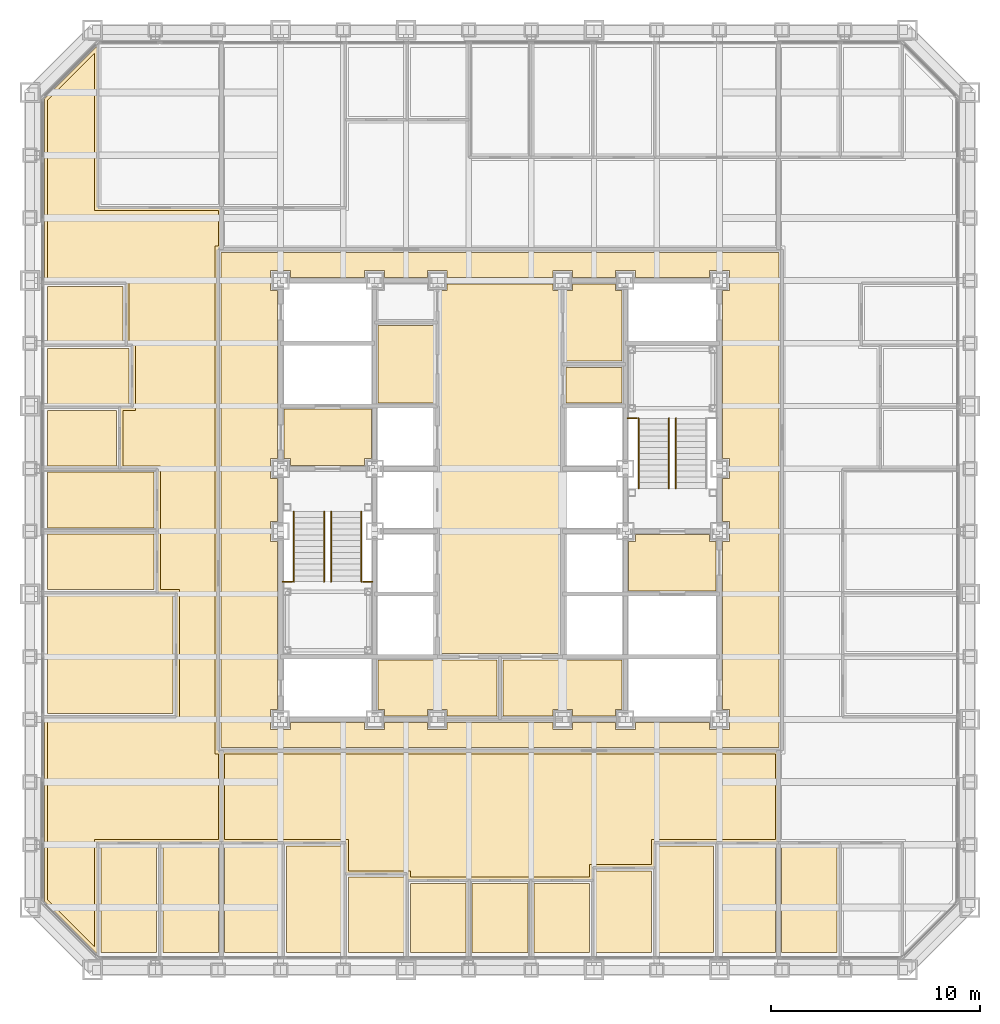
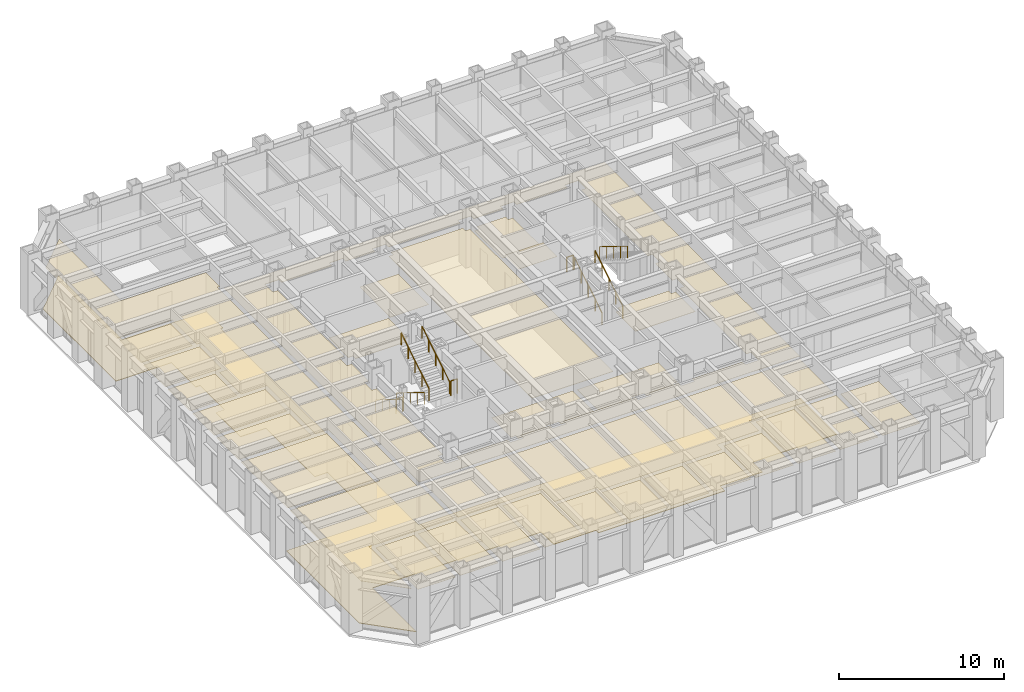
# One storey, part 14 of 16: 31 coverings, 10 railings.
"""IFC4 building model written with IfcOpenShell, lengths in metres."""

from ifc_helpers import new_model, si_unit, direction, frame, origin, origin_2d, place, context, subcontext, project, spatial, polyline, circle, outline, extrude, material, layer, layer_set, type_object, element, save


model = new_model("IFC4")

# Units and contexts
model_context = context("Model", 3, precision=1e-05, world=origin(), true_north=direction((0.0, 1.0)))
body_context = subcontext(model_context, "Body", "Model", "MODEL_VIEW")
ifc_project = project(units=[si_unit("LENGTHUNIT", "METRE"), si_unit("AREAUNIT", "SQUARE_METRE"), si_unit("VOLUMEUNIT", "CUBIC_METRE"), si_unit("PLANEANGLEUNIT", "RADIAN"), si_unit("MASSUNIT", "GRAM", prefix="KILO")], contexts=[model_context])

# Site, building, storey
site_placement = place(None, origin())
site = spatial("IfcSite", under=ifc_project, at=site_placement, CompositionType="ELEMENT")
building_placement = place(site_placement, origin())
building = spatial("IfcBuilding", under=site, at=building_placement, Name="Chuquiago Exchange Tower", CompositionType="ELEMENT")
storey_placement = place(building_placement, frame((0.0, 0.0, 78.300048828125)))
storey = spatial("IfcBuildingStorey", under=building, at=storey_placement, Name="L16", CompositionType="ELEMENT", Elevation=78.300048828125)

# Coverings
ifc_material_1 = material(Name="Mineral fibre tile, 600 x 600, on pale metal grid", Category="mineral fibre")
ifc_layer_1 = layer(ifc_material_1, 0.02001953125)
ifc_layer_set_1 = layer_set([ifc_layer_1], Name="CL1 suspended tile ceiling 20")
covering_type_1 = type_object("IfcCoveringType", Name="CL1 suspended tile ceiling 20", PredefinedType="CEILING", material=ifc_layer_set_1)
covering_1_placement = place(storey_placement, frame((0.0, 0.0, 3.0)))
element("IfcCovering", 1, at=covering_1_placement, inside=storey, type_object=covering_type_1, Name="Ceiling Office", PredefinedType="CEILING", context=body_context, shape_type="SweptSolid", body=[
    extrude(outline(polyline([(3.3984375, 5.949951171875), (6.060302734375, 5.949951171875), (6.060302734375, 0.85009765625), (3.3984375, 0.85009765625), (3.3984375, 5.949951171875)])), origin(), (0.0, 0.0, 1.0), 0.02001953125),
])
covering_2_placement = place(storey_placement, frame((0.0, 0.0, 3.0)))
element("IfcCovering", 2, at=covering_2_placement, inside=storey, type_object=covering_type_1, Name="Ceiling Office", PredefinedType="CEILING", context=body_context, shape_type="SweptSolid", body=[
    extrude(outline(polyline([(6.3603515625, 5.949951171875), (9.022216796875, 5.949951171875), (9.022216796875, 0.85009765625), (6.3603515625, 0.85009765625), (6.3603515625, 5.949951171875)])), origin(), (0.0, 0.0, 1.0), 0.02001953125),
])
covering_3_placement = place(storey_placement, frame((0.0, 0.0, 3.0)))
element("IfcCovering", 3, at=covering_3_placement, inside=storey, type_object=covering_type_1, Name="Ceiling Office", PredefinedType="CEILING", context=body_context, shape_type="SweptSolid", body=[
    extrude(outline(polyline([(9.322021484375, 5.949951171875), (11.98388671875, 5.949951171875), (11.98388671875, 0.85009765625), (9.322021484375, 0.85009765625), (9.322021484375, 5.949951171875)])), origin(), (0.0, 0.0, 1.0), 0.02001953125),
])
covering_4_placement = place(storey_placement, frame((0.0, 0.0, 3.0)))
element("IfcCovering", 4, at=covering_4_placement, inside=storey, type_object=covering_type_1, Name="Ceiling Office", PredefinedType="CEILING", context=body_context, shape_type="SweptSolid", body=[
    extrude(outline(polyline([(12.28369140625, 5.949951171875), (14.945556640625, 5.949951171875), (14.945556640625, 0.85009765625), (12.28369140625, 0.85009765625), (12.28369140625, 5.949951171875)])), origin(), (0.0, 0.0, 1.0), 0.02001953125),
])
covering_5_placement = place(storey_placement, frame((0.0, 0.0, 3.0)))
element("IfcCovering", 5, at=covering_5_placement, inside=storey, type_object=covering_type_1, Name="Ceiling Store", PredefinedType="CEILING", context=body_context, shape_type="SweptSolid", body=[
    extrude(outline(polyline([(15.24560546875, 4.449951171875), (17.907470703125, 4.449951171875), (17.907470703125, 0.85009765625), (15.24560546875, 0.85009765625), (15.24560546875, 4.449951171875)])), origin(), (0.0, 0.0, 1.0), 0.02001953125),
])
covering_6_placement = place(storey_placement, frame((0.0, 0.0, 3.0)))
element("IfcCovering", 6, at=covering_6_placement, inside=storey, type_object=covering_type_1, Name="Ceiling Focus room", PredefinedType="CEILING", context=body_context, shape_type="SweptSolid", body=[
    extrude(outline(polyline([(18.20751953125, 4.14990234375), (20.869140625, 4.14990234375), (20.869140625, 0.85009765625), (18.20751953125, 0.85009765625), (18.20751953125, 4.14990234375)])), origin(), (0.0, 0.0, 1.0), 0.02001953125),
])
covering_7_placement = place(storey_placement, frame((0.0, 0.0, 3.0)))
element("IfcCovering", 7, at=covering_7_placement, inside=storey, type_object=covering_type_1, Name="Ceiling Focus room", PredefinedType="CEILING", context=body_context, shape_type="SweptSolid", body=[
    extrude(outline(polyline([(21.169189453125, 4.14990234375), (23.830810546875, 4.14990234375), (23.830810546875, 0.85009765625), (21.169189453125, 0.85009765625), (21.169189453125, 4.14990234375)])), origin(), (0.0, 0.0, 1.0), 0.02001953125),
])
covering_8_placement = place(storey_placement, frame((0.0, 0.0, 3.0)))
element("IfcCovering", 8, at=covering_8_placement, inside=storey, type_object=covering_type_1, Name="Ceiling Focus room", PredefinedType="CEILING", context=body_context, shape_type="SweptSolid", body=[
    extrude(outline(polyline([(24.130859375, 4.14990234375), (26.79248046875, 4.14990234375), (26.79248046875, 0.85009765625), (24.130859375, 0.85009765625), (24.130859375, 4.14990234375)])), origin(), (0.0, 0.0, 1.0), 0.02001953125),
])
covering_9_placement = place(storey_placement, frame((0.0, 0.0, 3.0)))
element("IfcCovering", 9, at=covering_9_placement, inside=storey, type_object=covering_type_1, Name="Ceiling Pantry", PredefinedType="CEILING", context=body_context, shape_type="SweptSolid", body=[
    extrude(outline(polyline([(27.092529296875, 4.75), (29.75439453125, 4.75), (29.75439453125, 0.85009765625), (27.092529296875, 0.85009765625), (27.092529296875, 4.75)])), origin(), (0.0, 0.0, 1.0), 0.02001953125),
])
covering_10_placement = place(storey_placement, frame((0.0, 0.0, 3.0)))
element("IfcCovering", 10, at=covering_10_placement, inside=storey, type_object=covering_type_1, Name="Ceiling Meeting room", PredefinedType="CEILING", context=body_context, shape_type="SweptSolid", body=[
    extrude(outline(polyline([(30.054443359375, 5.949951171875), (32.71630859375, 5.949951171875), (32.71630859375, 0.85009765625), (30.054443359375, 0.85009765625), (30.054443359375, 5.949951171875)])), origin(), (0.0, 0.0, 1.0), 0.02001953125),
])
covering_11_placement = place(storey_placement, frame((0.0, 0.0, 3.0)))
element("IfcCovering", 11, at=covering_11_placement, inside=storey, type_object=covering_type_1, Name="Ceiling Meeting room", PredefinedType="CEILING", context=body_context, shape_type="SweptSolid", body=[
    extrude(outline(polyline([(33.01611328125, 5.949951171875), (35.677978515625, 5.949951171875), (35.677978515625, 0.85009765625), (33.01611328125, 0.85009765625), (33.01611328125, 5.949951171875)])), origin(), (0.0, 0.0, 1.0), 0.02001953125),
])
covering_12_placement = place(storey_placement, frame((0.0, 0.0, 3.0)))
element("IfcCovering", 12, at=covering_12_placement, inside=storey, type_object=covering_type_1, Name="Ceiling Office", PredefinedType="CEILING", context=body_context, shape_type="SweptSolid", body=[
    extrude(outline(polyline([(35.977783203125, 5.949951171875), (38.6396484375, 5.949951171875), (38.6396484375, 0.85009765625), (35.977783203125, 0.85009765625), (35.977783203125, 5.949951171875)])), origin(), (0.0, 0.0, 1.0), 0.02001953125),
])
covering_13_placement = place(storey_placement, frame((0.0, 0.0, 3.0)))
element("IfcCovering", 13, at=covering_13_placement, inside=storey, type_object=covering_type_1, Name="Ceiling Conference room", PredefinedType="CEILING", context=body_context, shape_type="SweptSolid", body=[
    extrude(outline(polyline([(6.85009765625, 17.907470703125), (6.85009765625, 12.28369140625), (0.85009765625, 12.28369140625), (0.85009765625, 17.907470703125), (6.85009765625, 17.907470703125)])), origin(), (0.0, 0.0, 1.0), 0.02001953125),
])
covering_14_placement = place(storey_placement, frame((0.0, 0.0, 3.0)))
element("IfcCovering", 14, at=covering_14_placement, inside=storey, type_object=covering_type_1, Name="Ceiling Office", PredefinedType="CEILING", context=body_context, shape_type="SweptSolid", body=[
    extrude(outline(polyline([(5.949951171875, 20.869140625), (5.949951171875, 18.20751953125), (0.85009765625, 18.20751953125), (0.85009765625, 20.869140625), (5.949951171875, 20.869140625)])), origin(), (0.0, 0.0, 1.0), 0.02001953125),
])
covering_15_placement = place(storey_placement, frame((0.0, 0.0, 3.0)))
element("IfcCovering", 15, at=covering_15_placement, inside=storey, type_object=covering_type_1, Name="Ceiling Office", PredefinedType="CEILING", context=body_context, shape_type="SweptSolid", body=[
    extrude(outline(polyline([(5.949951171875, 23.830810546875), (5.949951171875, 21.169189453125), (0.85009765625, 21.169189453125), (0.85009765625, 23.830810546875), (5.949951171875, 23.830810546875)])), origin(), (0.0, 0.0, 1.0), 0.02001953125),
])
covering_16_placement = place(storey_placement, frame((0.0, 0.0, 3.0)))
element("IfcCovering", 16, at=covering_16_placement, inside=storey, type_object=covering_type_1, Name="Ceiling Focus room", PredefinedType="CEILING", context=body_context, shape_type="SweptSolid", body=[
    extrude(outline(polyline([(4.14990234375, 26.79248046875), (4.14990234375, 24.130859375), (0.85009765625, 24.130859375), (0.85009765625, 26.79248046875), (4.14990234375, 26.79248046875)])), origin(), (0.0, 0.0, 1.0), 0.02001953125),
])
covering_17_placement = place(storey_placement, frame((0.0, 0.0, 3.0)))
element("IfcCovering", 17, at=covering_17_placement, inside=storey, type_object=covering_type_1, Name="Ceiling Pantry", PredefinedType="CEILING", context=body_context, shape_type="SweptSolid", body=[
    extrude(outline(polyline([(4.75, 29.75439453125), (4.75, 27.092529296875), (0.85009765625, 27.092529296875), (0.85009765625, 29.75439453125), (4.75, 29.75439453125)])), origin(), (0.0, 0.0, 1.0), 0.02001953125),
])
covering_18_placement = place(storey_placement, frame((0.0, 0.0, 3.0)))
element("IfcCovering", 18, at=covering_18_placement, inside=storey, type_object=covering_type_1, Name="Ceiling Store", PredefinedType="CEILING", context=body_context, shape_type="SweptSolid", body=[
    extrude(outline(polyline([(4.449951171875, 32.71630859375), (4.449951171875, 30.054443359375), (0.85009765625, 30.054443359375), (0.85009765625, 32.71630859375), (4.449951171875, 32.71630859375)])), origin(), (0.0, 0.0, 1.0), 0.02001953125),
])
covering_19_placement = place(storey_placement, frame((0.0, 0.0, 3.0)))
element("IfcCovering", 19, at=covering_19_placement, inside=storey, type_object=covering_type_1, Name="Ceiling Trading floor south suite", PredefinedType="CEILING", context=body_context, shape_type="SweptSolid", body=[
    extrude(outline(polyline([(29.75439453125, 6.25), (29.75439453125, 5.050048828125), (26.79248046875, 5.050048828125), (26.79248046875, 4.449951171875), (18.20751953125, 4.449951171875), (18.20751953125, 4.75), (15.24560546875, 4.75), (15.24560546875, 6.25), (9.322509765625, 6.25), (9.322509765625, 10.349609375), (35.677490234375, 10.349609375), (35.677490234375, 6.25), (29.75439453125, 6.25)])), origin(), (0.0, 0.0, 1.0), 0.02001953125),
])
covering_20_placement = place(storey_placement, frame((0.0, 0.0, 3.0)))
element("IfcCovering", 20, at=covering_20_placement, inside=storey, type_object=covering_type_1, Name="Ceiling Trading floor west suite", PredefinedType="CEILING", context=body_context, shape_type="SweptSolid", body=[
    extrude(outline(polyline([(3.098388671875, 36.35009765625), (9.021484375, 36.35009765625), (9.021484375, 34.650146484375), (8.849609375, 34.649658203125), (8.849609375, 10.350341796875), (9.021484375, 10.349853515625), (9.021484375, 6.25), (3.098388671875, 6.25), (3.098388671875, 1.103515625), (0.85009765625, 3.35205078125), (0.85009765625, 11.98388671875), (7.14990234375, 11.98388671875), (7.14990234375, 18.20751953125), (6.25, 18.20751953125), (6.25, 24.130859375), (4.449951171875, 24.130859375), (4.449951171875, 26.79248046875), (5.050048828125, 26.79248046875), (5.050048828125, 30.054443359375), (4.75, 30.054443359375), (4.75, 33.01611328125), (0.85009765625, 33.01611328125), (0.85009765625, 41.64794921875), (3.098388671875, 43.896484375), (3.098388671875, 36.35009765625)])), origin(), (0.0, 0.0, 1.0), 0.02001953125),
])
covering_21_placement = place(storey_placement, frame((0.0, 0.0, 3.0)))
element("IfcCovering", 21, at=covering_21_placement, inside=storey, type_object=covering_type_1, Name="Ceiling Tenant corridor", PredefinedType="CEILING", context=body_context, shape_type="SweptSolid", body=[
    extrude(outline(polyline([(9.14990234375, 34.35009765625), (35.85009765625, 34.35009765625), (35.85009765625, 10.64990234375), (9.14990234375, 10.64990234375), (9.14990234375, 34.35009765625)]), holes=[polyline([(11.85009765625, 24.47509765625), (11.52490234375, 24.47509765625), (11.52490234375, 23.52490234375), (11.85009765625, 23.52490234375), (11.85009765625, 21.47509765625), (11.52490234375, 21.47509765625), (11.52490234375, 20.52490234375), (11.85009765625, 20.52490234375), (11.85009765625, 12.47509765625), (11.52490234375, 12.47509765625), (11.52490234375, 11.52490234375), (12.47509765625, 11.52490234375), (12.47509765625, 11.85009765625), (16.02490234375, 11.85009765625), (16.02490234375, 11.52490234375), (16.97509765625, 11.52490234375), (16.97509765625, 11.85009765625), (19.02490234375, 11.85009765625), (19.02490234375, 11.52490234375), (19.97509765625, 11.52490234375), (19.97509765625, 11.85009765625), (25.02490234375, 11.85009765625), (25.02490234375, 11.52490234375), (25.97509765625, 11.52490234375), (25.97509765625, 11.85009765625), (28.02490234375, 11.85009765625), (28.02490234375, 11.52490234375), (28.97509765625, 11.52490234375), (28.97509765625, 11.85009765625), (32.52490234375, 11.85009765625), (32.52490234375, 11.52490234375), (33.47509765625, 11.52490234375), (33.47509765625, 12.47509765625), (33.14990234375, 12.47509765625), (33.14990234375, 20.52490234375), (33.47509765625, 20.52490234375), (33.47509765625, 21.47509765625), (33.14990234375, 21.47509765625), (33.14990234375, 23.52490234375), (33.47509765625, 23.52490234375), (33.47509765625, 24.47509765625), (33.14990234375, 24.47509765625), (33.14990234375, 32.52490234375), (33.47509765625, 32.52490234375), (33.47509765625, 33.47509765625), (32.52490234375, 33.47509765625), (32.52490234375, 33.14990234375), (28.97509765625, 33.14990234375), (28.97509765625, 33.47509765625), (28.02490234375, 33.47509765625), (28.02490234375, 33.14990234375), (25.97509765625, 33.14990234375), (25.97509765625, 33.47509765625), (25.02490234375, 33.47509765625), (25.02490234375, 33.14990234375), (19.97509765625, 33.14990234375), (19.97509765625, 33.47509765625), (19.02490234375, 33.47509765625), (19.02490234375, 33.14990234375), (16.97509765625, 33.14990234375), (16.97509765625, 33.47509765625), (16.02490234375, 33.47509765625), (16.02490234375, 33.14990234375), (12.47509765625, 33.14990234375), (12.47509765625, 33.47509765625), (11.52490234375, 33.47509765625), (11.52490234375, 32.52490234375), (11.85009765625, 32.52490234375), (11.85009765625, 24.47509765625)])]), origin(), (0.0, 0.0, 1.0), 0.02001953125),
])
covering_22_placement = place(storey_placement, frame((0.0, 0.0, 3.0)))
element("IfcCovering", 22, at=covering_22_placement, inside=storey, type_object=covering_type_1, Name="Ceiling First aid room", PredefinedType="CEILING", context=body_context, shape_type="SweptSolid", body=[
    extrude(outline(polyline([(25.64990234375, 27.14990234375), (25.64990234375, 28.85009765625), (28.35009765625, 28.85009765625), (28.35009765625, 27.14990234375), (25.64990234375, 27.14990234375)])), origin(), (0.0, 0.0, 1.0), 0.02001953125),
])
ifc_material_2 = material(Name="Moisture resistant plasterboard on metal frame", Category="gypsum")
ifc_layer_2 = layer(ifc_material_2, 0.014892578125)
ifc_layer_set_2 = layer_set([ifc_layer_2], Name="CL2 moisture resistant ceiling 15")
covering_type_2 = type_object("IfcCoveringType", Name="CL2 moisture resistant ceiling 15", PredefinedType="CEILING", material=ifc_layer_set_2)
covering_23_placement = place(storey_placement, frame((0.0, 0.0, 2.599853515625)))
element("IfcCovering", 23, at=covering_23_placement, inside=storey, type_object=covering_type_2, Name="Ceiling Male WC", PredefinedType="CEILING", context=body_context, shape_type="SweptSolid", body=[
    extrude(outline(polyline([(16.64990234375, 27.14990234375), (16.64990234375, 30.85009765625), (19.35009765625, 30.85009765625), (19.35009765625, 27.14990234375), (16.64990234375, 27.14990234375)])), origin(), (0.0, 0.0, 1.0), 0.01513671875),
])
covering_24_placement = place(storey_placement, frame((0.0, 0.0, 2.599853515625)))
element("IfcCovering", 24, at=covering_24_placement, inside=storey, type_object=covering_type_2, Name="Ceiling Female WC", PredefinedType="CEILING", context=body_context, shape_type="SweptSolid", body=[
    extrude(outline(polyline([(25.64990234375, 29.14990234375), (25.64990234375, 32.52490234375), (25.97509765625, 32.52490234375), (25.97509765625, 32.85009765625), (28.02490234375, 32.85009765625), (28.02490234375, 32.52490234375), (28.35009765625, 32.52490234375), (28.35009765625, 29.14990234375), (25.64990234375, 29.14990234375)])), origin(), (0.0, 0.0, 1.0), 0.01513671875),
])
covering_25_placement = place(storey_placement, frame((0.0, 0.0, 2.599853515625)))
element("IfcCovering", 25, at=covering_25_placement, inside=storey, type_object=covering_type_2, Name="Ceiling Accessible WC", PredefinedType="CEILING", context=body_context, shape_type="SweptSolid", body=[
    extrude(outline(polyline([(25.97509765625, 12.14990234375), (25.97509765625, 12.47509765625), (25.02490234375, 12.47509765625), (25.02490234375, 12.14990234375), (22.64990234375, 12.14990234375), (22.64990234375, 14.85009765625), (28.35009765625, 14.85009765625), (28.35009765625, 12.47509765625), (28.02490234375, 12.47509765625), (28.02490234375, 12.14990234375), (25.97509765625, 12.14990234375)])), origin(), (0.0, 0.0, 1.0), 0.01513671875),
])
covering_26_placement = place(storey_placement, frame((0.0, 0.0, 2.599853515625)))
element("IfcCovering", 26, at=covering_26_placement, inside=storey, type_object=covering_type_2, Name="Ceiling Cleaner", PredefinedType="CEILING", context=body_context, shape_type="SweptSolid", body=[
    extrude(outline(polyline([(19.97509765625, 12.14990234375), (19.97509765625, 12.47509765625), (19.02490234375, 12.47509765625), (19.02490234375, 12.14990234375), (16.97509765625, 12.14990234375), (16.97509765625, 12.47509765625), (16.64990234375, 12.47509765625), (16.64990234375, 14.85009765625), (22.35009765625, 14.85009765625), (22.35009765625, 12.14990234375), (19.97509765625, 12.14990234375)])), origin(), (0.0, 0.0, 1.0), 0.01513671875),
])
ifc_material_3 = material(Name="Pale metal plank ceiling, perforated", Category="aluminium")
ifc_layer_3 = layer(ifc_material_3, 0.030029296875)
ifc_layer_set_3 = layer_set([ifc_layer_3], Name="CL3 metal plank ceiling 30")
covering_type_3 = type_object("IfcCoveringType", Name="CL3 metal plank ceiling 30", PredefinedType="CEILING", material=ifc_layer_set_3)
covering_27_placement = place(storey_placement, frame((0.0, 0.0, 2.800048828125)))
element("IfcCovering", 27, at=covering_27_placement, inside=storey, type_object=covering_type_3, Name="Ceiling Lift lobby", PredefinedType="CEILING", context=body_context, shape_type="SweptSolid", body=[
    extrude(outline(polyline([(19.64990234375, 15.14990234375), (19.64990234375, 32.52490234375), (19.97509765625, 32.52490234375), (19.97509765625, 32.85009765625), (25.02490234375, 32.85009765625), (25.02490234375, 32.52490234375), (25.35009765625, 32.52490234375), (25.35009765625, 15.14990234375), (19.64990234375, 15.14990234375)])), origin(), (0.0, 0.0, 1.0), 0.02978515625),
])
covering_28_placement = place(storey_placement, frame((0.0, 0.0, 2.800048828125)))
element("IfcCovering", 28, at=covering_28_placement, inside=storey, type_object=covering_type_3, Name="Ceiling Firefighting lobby", PredefinedType="CEILING", context=body_context, shape_type="SweptSolid", body=[
    extrude(outline(polyline([(12.47509765625, 24.14990234375), (12.47509765625, 24.47509765625), (12.14990234375, 24.47509765625), (12.14990234375, 26.85009765625), (16.35009765625, 26.85009765625), (16.35009765625, 24.47509765625), (16.02490234375, 24.47509765625), (16.02490234375, 24.14990234375), (12.47509765625, 24.14990234375)])), origin(), (0.0, 0.0, 1.0), 0.02978515625),
])
covering_29_placement = place(storey_placement, frame((0.0, 0.0, 2.800048828125)))
element("IfcCovering", 29, at=covering_29_placement, inside=storey, type_object=covering_type_3, Name="Ceiling Firefighting lobby", PredefinedType="CEILING", context=body_context, shape_type="SweptSolid", body=[
    extrude(outline(polyline([(28.64990234375, 18.14990234375), (28.64990234375, 20.52490234375), (28.97509765625, 20.52490234375), (28.97509765625, 20.85009765625), (32.52490234375, 20.85009765625), (32.52490234375, 20.52490234375), (32.85009765625, 20.52490234375), (32.85009765625, 18.14990234375), (28.64990234375, 18.14990234375)])), origin(), (0.0, 0.0, 1.0), 0.02978515625),
])

# Railings
ifc_material_4 = material(Name="Pale metal guard with safety glass infill", Category="glass")
railing_type_1 = type_object("IfcRailingType", Name="GR1 guard 1100", PredefinedType="GUARDRAIL", material=ifc_material_4)
for number, where, name in (
    (30, (12.10009765625, 18.590087890625, 2.25), "Guard ST1 L16 landing 2"),
    (31, (15.945068359375, 18.590087890625, 2.25), "Guard ST1 L16 landing 2"),
    (32, (28.60009765625, 26.409912109375, 2.25), "Guard ST2 L16 landing 2"),
):
    element("IfcRailing", number, at=place(storey_placement, frame(where)), inside=storey, type_object=railing_type_1, Name=name, PredefinedType="GUARDRAIL", context=body_context, shape_type="SweptSolid", body=[
        extrude(circle(Radius=0.02392578125, at=origin_2d()), frame((0.0, 0.0, 1.076171875), z_axis=(1.0, 0.0, 0.0), x_axis=(0.0, 1.0, 0.0)), (0.0, 0.0, 1.0), 0.454833984375),
        extrude(circle(Radius=0.02099609375, at=origin_2d()), origin(), (0.0, 0.0, 1.0), 1.052001953125),
        extrude(circle(Radius=0.02099609375, at=origin_2d()), frame((0.454833984375, 0.0, 0.0)), (0.0, 0.0, 1.0), 1.052001953125),
    ])
ifc_material_5 = material(Name="Pale metal handrail", Category="steel")
railing_type_2 = type_object("IfcRailingType", Name="HR1 handrail 900", PredefinedType="HANDRAIL", material=ifc_material_5)
for number, where, name in (
    (33, (12.635009765625, 21.949951171875, 0.173095703125), "Handrail ST1 L16 flight 1"),
    (34, (14.0849609375, 21.949951171875, 0.173095703125), "Handrail ST1 L16 flight 1"),
):
    element("IfcRailing", number, at=place(storey_placement, frame(where)), inside=storey, type_object=railing_type_2, Name=name, PredefinedType="HANDRAIL", context=body_context, shape_type="SweptSolid", body=[
        extrude(circle(Radius=0.02392578125, at=origin_2d()), frame((0.0, 0.0, 0.8759765625), z_axis=(0.0, -0.850606129759, 0.525803396734), x_axis=(1.0, 0.0, 0.0)), (0.0, 0.0, 1.0), 3.949951171875),
        extrude(circle(Radius=0.02099609375, at=origin_2d()), origin(), (0.0, 0.0, 1.0), 0.851806640625),
        extrude(circle(Radius=0.02099609375, at=origin_2d()), frame((0.0, -0.83984375, 0.519287109375)), (0.0, 0.0, 1.0), 0.851806640625),
        extrude(circle(Radius=0.02099609375, at=origin_2d()), frame((0.0, -1.679931640625, 1.03857421875)), (0.0, 0.0, 1.0), 0.851806640625),
        extrude(circle(Radius=0.02099609375, at=origin_2d()), frame((0.0, -2.52001953125, 1.5576171875)), (0.0, 0.0, 1.0), 0.851806640625),
        extrude(circle(Radius=0.02099609375, at=origin_2d()), frame((0.0, -3.35986328125, 2.076904296875)), (0.0, 0.0, 1.0), 0.851806640625),
    ])
for number, where, name in (
    (35, (15.864990234375, 18.590087890625, 2.423095703125), "Handrail ST1 L16 flight 2"),
    (36, (14.4150390625, 18.590087890625, 2.423095703125), "Handrail ST1 L16 flight 2"),
    (37, (30.5849609375, 23.050048828125, 0.173095703125), "Handrail ST2 L16 flight 1"),
    (38, (29.135009765625, 23.050048828125, 0.173095703125), "Handrail ST2 L16 flight 1"),
):
    element("IfcRailing", number, at=place(storey_placement, frame(where)), inside=storey, type_object=railing_type_2, Name=name, PredefinedType="HANDRAIL", context=body_context, shape_type="SweptSolid", body=[
        extrude(circle(Radius=0.02392578125, at=origin_2d()), frame((0.0, 0.0, 0.8759765625), z_axis=(0.0, 0.850606129759, 0.525803396734), x_axis=(-1.0, 0.0, 0.0)), (0.0, 0.0, 1.0), 3.949951171875),
        extrude(circle(Radius=0.02099609375, at=origin_2d()), origin(), (0.0, 0.0, 1.0), 0.851806640625),
        extrude(circle(Radius=0.02099609375, at=origin_2d()), frame((0.0, 0.83984375, 0.519287109375)), (0.0, 0.0, 1.0), 0.851806640625),
        extrude(circle(Radius=0.02099609375, at=origin_2d()), frame((0.0, 1.679931640625, 1.03857421875)), (0.0, 0.0, 1.0), 0.851806640625),
        extrude(circle(Radius=0.02099609375, at=origin_2d()), frame((0.0, 2.52001953125, 1.5576171875)), (0.0, 0.0, 1.0), 0.851806640625),
        extrude(circle(Radius=0.02099609375, at=origin_2d()), frame((0.0, 3.35986328125, 2.076904296875)), (0.0, 0.0, 1.0), 0.851806640625),
    ])
railing_placement = place(storey_placement, frame((30.9150390625, 26.409912109375, 2.423095703125)))
element("IfcRailing", 39, at=railing_placement, inside=storey, type_object=railing_type_2, Name="Handrail ST2 L16 flight 2", PredefinedType="HANDRAIL", context=body_context, shape_type="SweptSolid", body=[
    extrude(circle(Radius=0.02392578125, at=origin_2d()), frame((0.0, 0.0, 0.8759765625), z_axis=(0.0, -0.850606129759, 0.525803396734), x_axis=(1.0, 0.0, 0.0)), (0.0, 0.0, 1.0), 3.949951171875),
    extrude(circle(Radius=0.02099609375, at=origin_2d()), origin(), (0.0, 0.0, 1.0), 0.851806640625),
    extrude(circle(Radius=0.02099609375, at=origin_2d()), frame((0.0, -0.83984375, 0.519287109375)), (0.0, 0.0, 1.0), 0.851806640625),
    extrude(circle(Radius=0.02099609375, at=origin_2d()), frame((0.0, -1.679931640625, 1.03857421875)), (0.0, 0.0, 1.0), 0.851806640625),
    extrude(circle(Radius=0.02099609375, at=origin_2d()), frame((0.0, -2.52001953125, 1.5576171875)), (0.0, 0.0, 1.0), 0.851806640625),
    extrude(circle(Radius=0.02099609375, at=origin_2d()), frame((0.0, -3.35986328125, 2.076904296875)), (0.0, 0.0, 1.0), 0.851806640625),
])

# Coverings
ifc_material_6 = material(Name="Steel raised floor panel", Category="steel")
ifc_layer_4 = layer(ifc_material_6, 0.0400390625)
ifc_layer_set_4 = layer_set([ifc_layer_4], Name="RF1 raised access floor 40")
covering_type_4 = type_object("IfcCoveringType", Name="RF1 raised access floor 40", PredefinedType="FLOORING", material=ifc_layer_set_4)
covering_30_placement = place(storey_placement, frame((0.0, 0.0, -0.0400390625)))
element("IfcCovering", 40, at=covering_30_placement, inside=storey, type_object=covering_type_4, Name="Raised access floor Trading floor south suite", PredefinedType="FLOORING", context=body_context, shape_type="SweptSolid", body=[
    extrude(outline(polyline([(35.827392578125, 6.10009765625), (29.904296875, 6.10009765625), (29.904296875, 4.89990234375), (26.942626953125, 4.89990234375), (26.942626953125, 4.300048828125), (18.057373046875, 4.300048828125), (18.057373046875, 4.60009765625), (15.095703125, 4.60009765625), (15.095703125, 6.10009765625), (9.172607421875, 6.10009765625), (9.172607421875, 10.49951171875), (35.827392578125, 10.49951171875), (35.827392578125, 6.10009765625)])), origin(), (0.0, 0.0, 1.0), 0.0400390625),
])
covering_31_placement = place(storey_placement, frame((0.0, 0.0, -0.0400390625)))
element("IfcCovering", 41, at=covering_31_placement, inside=storey, type_object=covering_type_4, Name="Raised access floor Trading floor west suite", PredefinedType="FLOORING", context=body_context, shape_type="SweptSolid", body=[
    extrude(outline(polyline([(7.0, 18.057373046875), (6.10009765625, 18.057373046875), (6.10009765625, 23.98095703125), (4.300048828125, 23.98095703125), (4.300048828125, 26.942626953125), (4.89990234375, 26.942626953125), (4.89990234375, 29.904296875), (4.60009765625, 29.904296875), (4.60009765625, 32.8662109375), (0.699951171875, 32.8662109375), (0.699951171875, 41.710205078125), (3.289794921875, 44.300048828125), (3.24853515625, 44.258544921875), (3.24853515625, 36.5), (9.171630859375, 36.5), (9.171630859375, 34.50048828125), (8.99951171875, 34.5), (8.99951171875, 10.5), (9.171630859375, 10.49951171875), (9.171630859375, 6.10009765625), (3.24853515625, 6.10009765625), (3.24853515625, 0.741455078125), (0.699951171875, 3.289794921875), (0.699951171875, 12.1337890625), (7.0, 12.1337890625), (7.0, 18.057373046875)])), origin(), (0.0, 0.0, 1.0), 0.0400390625),
])

save(model, "model.ifc")
